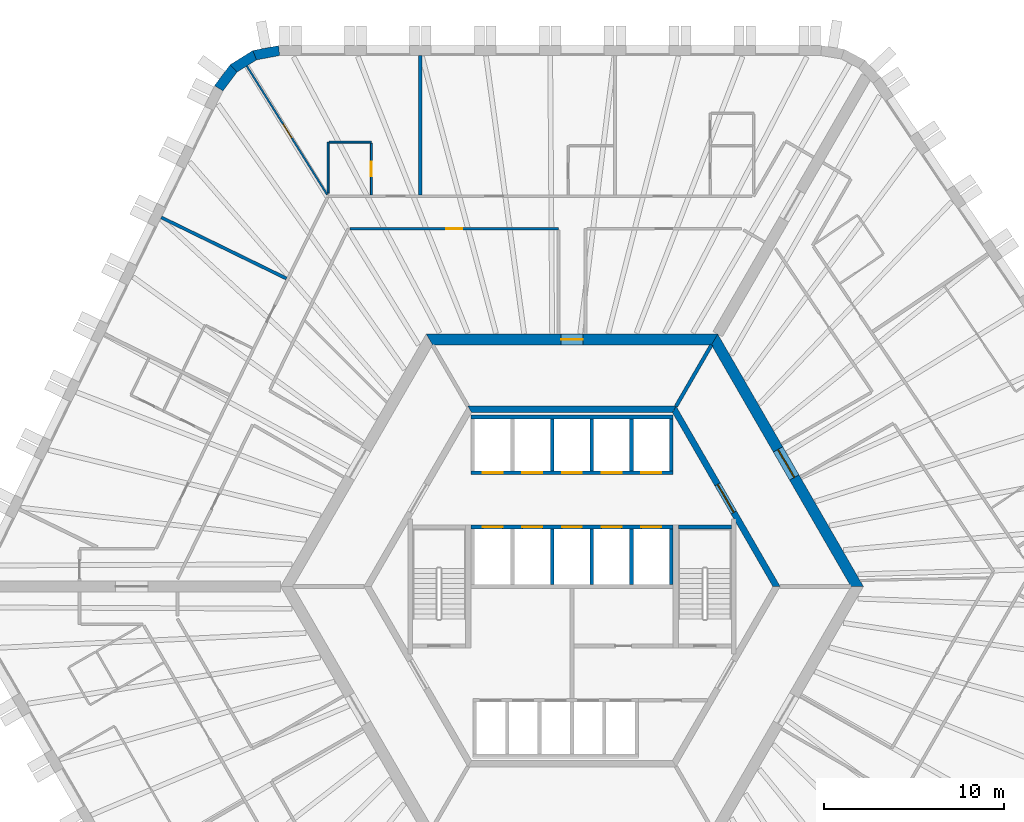
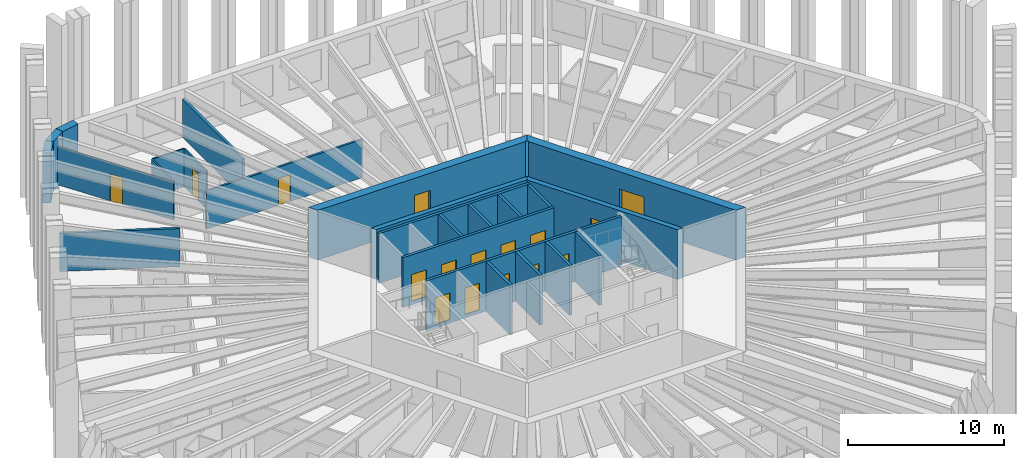
# One storey, part 8 of 13: 27 walls, 16 doors, 16 openings.
"""IFC4 building model written with IfcOpenShell, lengths in metres."""

from ifc_helpers import new_model, si_unit, direction, frame, frame_2d, origin, place, context, subcontext, project, spatial, polyline, rectangle, outline, extrude, material, layer, layer_set, type_object, element, fill, save


model = new_model("IFC4")

# Units and contexts
model_context = context("Model", 3, precision=1e-05, world=origin(), true_north=direction((0.0, 1.0)))
body_context = subcontext(model_context, "Body", "Model", "MODEL_VIEW")
ifc_project = project(units=[si_unit("LENGTHUNIT", "METRE"), si_unit("AREAUNIT", "SQUARE_METRE"), si_unit("VOLUMEUNIT", "CUBIC_METRE"), si_unit("PLANEANGLEUNIT", "RADIAN"), si_unit("MASSUNIT", "GRAM", prefix="KILO")], contexts=[model_context])

# Site, building, storey
site_placement = place(None, origin())
site = spatial("IfcSite", under=ifc_project, at=site_placement, CompositionType="ELEMENT")
building_placement = place(site_placement, origin())
building = spatial("IfcBuilding", under=site, at=building_placement, Name="Tarnside Tower", CompositionType="ELEMENT")
storey_placement = place(building_placement, frame((0.0, 0.0, 80.39990234375)))
storey = spatial("IfcBuildingStorey", under=building, at=storey_placement, Name="L17", CompositionType="ELEMENT", Elevation=80.39990234375)

# Walls
ifc_material_1 = material(Name="Gypsum board partition on steel studs", Category="steel")
ifc_layer_1 = layer(ifc_material_1, 0.10009765625)
ifc_layer_set_1 = layer_set([ifc_layer_1], Name="Bathroom wall 100")
wall_type_1 = type_object("IfcWallType", Name="Bathroom wall 100", PredefinedType="PARTITIONING", material=ifc_layer_set_1)
wall_1_placement = place(storey_placement, frame((-13.5283203125, 21.821044921875, 0.0), z_axis=(0.0, 0.0, 1.0), x_axis=(0.0, 1.0, 0.0)))
element("IfcWall", 1, at=wall_1_placement, inside=storey, type_object=wall_type_1, Name="Bathroom wall 05090", PredefinedType="PARTITIONING", context=body_context, shape_type="SweptSolid", body=[
    extrude(rectangle(XDim=2.828857421875, YDim=0.10009765625, at=frame_2d((1.41455078125, 0.0))), origin(), (0.0, 0.0, 1.0), 2.98779296875),
])
wall_2_placement = place(storey_placement, frame((-13.478515625, 24.64990234375, 0.0), z_axis=(0.0, 0.0, 1.0), x_axis=(1.0, 0.0, 0.0)))
element("IfcWall", 2, at=wall_2_placement, inside=storey, type_object=wall_type_1, Name="Bathroom wall 05091", PredefinedType="PARTITIONING", context=body_context, shape_type="SweptSolid", body=[
    extrude(rectangle(XDim=2.35009765625, YDim=0.10009765625, at=frame_2d((1.175048828125, 0.0))), origin(), (0.0, 0.0, 1.0), 2.98779296875),
])

# Wall, opening, door
wall_3_placement = place(storey_placement, frame((-11.12841796875, 24.60009765625, 0.0), z_axis=(0.0, 0.0, 1.0), x_axis=(0.0, -1.0, 0.0)))
wall_3 = element("IfcWall", 3, at=wall_3_placement, inside=storey, type_object=wall_type_1, Name="Bathroom wall 05092", PredefinedType="PARTITIONING", context=body_context, shape_type="SweptSolid", body=[
    extrude(rectangle(XDim=2.875, YDim=0.10009765625, at=frame_2d((1.4375, 0.0))), origin(), (0.0, 0.0, 1.0), 2.98779296875),
])
opening_1_placement = place(wall_3_placement, frame((1.050048828125, 0.0, 0.0)))
opening_1 = element("IfcOpeningElement", 4, at=opening_1_placement, cuts=wall_3, Name="Opening D-B1", PredefinedType="OPENING", context=body_context, shape_type="SweptSolid", body=[
    extrude(rectangle(XDim=0.800048828125, YDim=2.10009765625, at=frame_2d((0.39990234375, 1.050048828125))), frame((0.0, 0.06005859375, 0.0), z_axis=(0.0, -1.0, 0.0), x_axis=(1.0, 0.0, 0.0)), (0.0, 0.0, 1.0), 0.1201171875),
])
ifc_material_2 = material(Name="Timber door leaf", Category="wood")
door_type_1 = type_object("IfcDoorType", Name="Bathroom door 800", OperationType="NOTDEFINED", PredefinedType="DOOR", material=ifc_material_2)
door_1_placement = place(opening_1_placement, origin())
door_1 = element("IfcDoor", 5, at=door_1_placement, inside=storey, type_object=door_type_1, Name="Bathroom door 05007", OperationType="SINGLE_SWING_RIGHT", OverallHeight=2.10009765625, OverallWidth=0.800048828125, PredefinedType="DOOR", context=body_context, shape_type="SweptSolid", body=[
    extrude(rectangle(XDim=0.800048828125, YDim=2.10009765625, at=frame_2d((0.39990234375, 1.050048828125))), frame((0.0, 0.02490234375, 0.0), z_axis=(0.0, -1.0, 0.0), x_axis=(1.0, 0.0, 0.0)), (0.0, 0.0, 1.0), 0.050048828125),
])
fill(opening_1, door_1)

ifc_material_3 = material(Name="Concrete C50/60", Category="concrete")
ifc_layer_2 = layer(ifc_material_3, 0.35009765625)
ifc_layer_set_2 = layer_set([ifc_layer_2], Name="Core block wall 350 C50/60")
wall_type_2 = type_object("IfcWallType", Name="Core block wall 350 C50/60", PredefinedType="SHEAR", material=ifc_layer_set_2)
wall_4_placement = place(storey_placement, frame((11.344970703125, 0.0, -0.14990234375), z_axis=(0.0, 0.0, 1.0), x_axis=(-0.499995046907, 0.866028263435, 0.0)))
wall_4 = element("IfcWall", 6, at=wall_4_placement, inside=storey, type_object=wall_type_2, Name="L17 core block wall face 6", PredefinedType="SHEAR", context=body_context, shape_type="SweptSolid", body=[
    extrude(outline(polyline([(-0.10107421875, -0.175048828125), (11.44580078125, -0.175048828125), (11.24365234375, 0.175048828125), (0.10107421875, 0.175048828125), (-0.10107421875, -0.175048828125)])), origin(), (0.0, 0.0, 1.0), 3.89990234375),
])
opening_2_placement = place(wall_4_placement, frame((4.74365234375, 0.0, 0.14990234375)))
opening_2 = element("IfcOpeningElement", 7, at=opening_2_placement, cuts=wall_4, Name="Opening CD-LOB", PredefinedType="OPENING", context=body_context, shape_type="SweptSolid", body=[
    extrude(rectangle(XDim=1.800048828125, YDim=2.39990234375, at=frame_2d((0.89990234375, 1.199951171875))), frame((0.0, 0.18505859375, 0.0), z_axis=(0.0, -1.0, 0.0), x_axis=(1.0, 0.0, 0.0)), (0.0, 0.0, 1.0), 0.3701171875),
])
ifc_material_4 = material(Name="Steel fire door", Category="steel")
door_type_2 = type_object("IfcDoorType", Name="Lobby double door FD30S 1800x2400", OperationType="NOTDEFINED", PredefinedType="DOOR", material=ifc_material_4)
door_2_placement = place(opening_2_placement, origin())
door_2 = element("IfcDoor", 8, at=door_2_placement, inside=storey, type_object=door_type_2, Name="L17 lobby block door P2", OperationType="DOUBLE_DOOR_SINGLE_SWING", OverallHeight=2.39990234375, OverallWidth=1.800048828125, PredefinedType="DOOR", context=body_context, shape_type="SweptSolid", body=[
    extrude(rectangle(XDim=1.800048828125, YDim=2.39990234375, at=frame_2d((0.89990234375, 1.199951171875))), frame((0.0, 0.02490234375, 0.0), z_axis=(0.0, -1.0, 0.0), x_axis=(1.0, 0.0, 0.0)), (0.0, 0.0, 1.0), 0.050048828125),
])
fill(opening_2, door_2)

# Wall
wall_5_placement = place(storey_placement, frame((5.672607421875, 9.824951171875, -0.14990234375), z_axis=(0.0, 0.0, 1.0), x_axis=(-1.0, 0.0, 0.0)))
element("IfcWall", 9, at=wall_5_placement, inside=storey, type_object=wall_type_2, Name="L17 core block wall face 1", PredefinedType="SHEAR", context=body_context, shape_type="SweptSolid", body=[
    extrude(outline(polyline([(-0.10107421875, -0.175048828125), (11.4462890625, -0.175048828125), (11.244140625, 0.175048828125), (0.10107421875, 0.175048828125), (-0.10107421875, -0.175048828125)])), origin(), (0.0, 0.0, 1.0), 3.89990234375),
])

# Wall, opening, door
ifc_material_5 = material(Name="Concrete C80/95", Category="concrete")
ifc_layer_3 = layer(ifc_material_5, 0.60009765625)
ifc_layer_set_3 = layer_set([ifc_layer_3], Name="Core wall Z1 600 C80/95")
wall_type_3 = type_object("IfcWallType", Name="Core wall Z1 600 C80/95", PredefinedType="SHEAR", material=ifc_layer_set_3)
wall_6_placement = place(storey_placement, frame((15.8193359375, 0.0, -0.14990234375), z_axis=(0.0, 0.0, 1.0), x_axis=(-0.499999880136, 0.866025472988, 0.0)))
wall_6 = element("IfcWall", 10, at=wall_6_placement, inside=storey, type_object=wall_type_3, Name="L17 core wall face 6", PredefinedType="SHEAR", context=body_context, shape_type="SweptSolid", body=[
    extrude(outline(polyline([(-0.17333984375, -0.300048828125), (15.99267578125, -0.300048828125), (15.64599609375, 0.300048828125), (0.17333984375, 0.300048828125), (-0.17333984375, -0.300048828125)])), origin(), (0.0, 0.0, 1.0), 3.89990234375),
])
opening_3_placement = place(wall_6_placement, frame((6.980712890625, 0.0, 0.14990234375)))
opening_3 = element("IfcOpeningElement", 11, at=opening_3_placement, cuts=wall_6, Name="Opening CD-LOB", PredefinedType="OPENING", context=body_context, shape_type="SweptSolid", body=[
    extrude(rectangle(XDim=1.800048828125, YDim=2.39990234375, at=frame_2d((0.89990234375, 1.199951171875))), frame((0.0, 0.31005859375, 0.0), z_axis=(0.0, -1.0, 0.0), x_axis=(1.0, 0.0, 0.0)), (0.0, 0.0, 1.0), 0.6201171875),
])
door_3_placement = place(opening_3_placement, origin())
door_3 = element("IfcDoor", 12, at=door_3_placement, inside=storey, type_object=door_type_2, Name="L17 core door P2", OperationType="DOUBLE_DOOR_SINGLE_SWING", OverallHeight=2.39990234375, OverallWidth=1.800048828125, PredefinedType="DOOR", context=body_context, shape_type="SweptSolid", body=[
    extrude(rectangle(XDim=1.800048828125, YDim=2.39990234375, at=frame_2d((0.89990234375, 1.199951171875))), frame((0.0, 0.02490234375, 0.0), z_axis=(0.0, -1.0, 0.0), x_axis=(1.0, 0.0, 0.0)), (0.0, 0.0, 1.0), 0.050048828125),
])
fill(opening_3, door_3)

wall_7_placement = place(storey_placement, frame((7.90966796875, 13.699951171875, -0.14990234375), z_axis=(0.0, 0.0, 1.0), x_axis=(-1.0, 0.0, 0.0)))
wall_7 = element("IfcWall", 13, at=wall_7_placement, inside=storey, type_object=wall_type_3, Name="L17 core wall face 1", PredefinedType="SHEAR", context=body_context, shape_type="SweptSolid", body=[
    extrude(outline(polyline([(-0.17333984375, -0.300048828125), (15.99267578125, -0.300048828125), (15.64599609375, 0.300048828125), (0.17333984375, 0.300048828125), (-0.17333984375, -0.300048828125)])), origin(), (0.0, 0.0, 1.0), 3.89990234375),
])
opening_4_placement = place(wall_7_placement, frame((7.309814453125, 0.0, 0.14990234375)))
opening_4 = element("IfcOpeningElement", 14, at=opening_4_placement, cuts=wall_7, Name="Opening CD-RSR", PredefinedType="OPENING", context=body_context, shape_type="SweptSolid", body=[
    extrude(rectangle(XDim=1.199951171875, YDim=2.39990234375, at=frame_2d((0.60009765625, 1.199951171875))), frame((0.0, 0.31005859375, 0.0), z_axis=(0.0, -1.0, 0.0), x_axis=(1.0, 0.0, 0.0)), (0.0, 0.0, 1.0), 0.6201171875),
])
door_type_3 = type_object("IfcDoorType", Name="Riser door FD60 1200x2400", OperationType="NOTDEFINED", PredefinedType="DOOR", material=ifc_material_4)
door_4_placement = place(opening_4_placement, origin())
door_4 = element("IfcDoor", 15, at=door_4_placement, inside=storey, type_object=door_type_3, Name="L17 core door S5", OperationType="SINGLE_SWING_LEFT", OverallHeight=2.39990234375, OverallWidth=1.199951171875, PredefinedType="DOOR", context=body_context, shape_type="SweptSolid", body=[
    extrude(rectangle(XDim=1.199951171875, YDim=2.39990234375, at=frame_2d((0.60009765625, 1.199951171875))), frame((0.0, 0.02490234375, 0.0), z_axis=(0.0, -1.0, 0.0), x_axis=(1.0, 0.0, 0.0)), (0.0, 0.0, 1.0), 0.050048828125),
])
fill(opening_4, door_4)

ifc_layer_4 = layer(ifc_material_1, 0.14990234375)
ifc_layer_set_4 = layer_set([ifc_layer_4], Name="Corridor wall 150 EI 60")
wall_type_4 = type_object("IfcWallType", Name="Corridor wall 150 EI 60", PredefinedType="PARTITIONING", material=ifc_layer_set_4)
wall_8_placement = place(storey_placement, frame((-12.3203125, 19.85009765625, 0.0), z_axis=(0.0, 0.0, 1.0), x_axis=(1.0, 0.0, 0.0)))
wall_8 = element("IfcWall", 16, at=wall_8_placement, inside=storey, type_object=wall_type_4, Name="Corridor wall 05018", PredefinedType="PARTITIONING", context=body_context, shape_type="SweptSolid", body=[
    extrude(rectangle(XDim=11.5703125, YDim=0.14990234375, at=frame_2d((5.78515625, 0.0))), origin(), (0.0, 0.0, 1.0), 2.98779296875),
])
opening_5_placement = place(wall_8_placement, frame((5.335205078125, 0.0, 0.0)))
opening_5 = element("IfcOpeningElement", 17, at=opening_5_placement, cuts=wall_8, Name="Opening D-S1", PredefinedType="OPENING", context=body_context, shape_type="SweptSolid", body=[
    extrude(rectangle(XDim=0.89990234375, YDim=2.10009765625, at=frame_2d((0.449951171875, 1.050048828125))), frame((0.0, 0.0849609375, 0.0), z_axis=(0.0, -1.0, 0.0), x_axis=(1.0, 0.0, 0.0)), (0.0, 0.0, 1.0), 0.169921875),
])
door_type_4 = type_object("IfcDoorType", Name="Service room door 900 FD30S", OperationType="NOTDEFINED", PredefinedType="DOOR", material=ifc_material_2)
door_5_placement = place(opening_5_placement, origin())
door_5 = element("IfcDoor", 18, at=door_5_placement, inside=storey, type_object=door_type_4, Name="Service door 05041", OperationType="SINGLE_SWING_RIGHT", OverallHeight=2.10009765625, OverallWidth=0.89990234375, PredefinedType="DOOR", context=body_context, shape_type="SweptSolid", body=[
    extrude(rectangle(XDim=0.89990234375, YDim=2.10009765625, at=frame_2d((0.449951171875, 1.050048828125))), frame((0.0, 0.02490234375, 0.0), z_axis=(0.0, -1.0, 0.0), x_axis=(1.0, 0.0, 0.0)), (0.0, 0.0, 1.0), 0.050048828125),
])
fill(opening_5, door_5)

# Walls
ifc_layer_5 = layer(ifc_material_1, 0.179931640625)
ifc_layer_set_5 = layer_set([ifc_layer_5], Name="Demising wall 180 EI 60")
wall_type_5 = type_object("IfcWallType", Name="Demising wall 180 EI 60", PredefinedType="PARTITIONING", material=ifc_layer_set_5)
for number, where, z_axis, x_axis, name in (
    (19, (-8.4111328125, 29.449951171875, 0.0), (0.0, 0.0, 1.0), (0.0, -1.0, 0.0), "Demising wall 05089"),
    (20, (-22.7822265625, 20.469970703125, 0.0), (0.0, 0.0, 1.0), (0.898789402655, -0.438380667542, 0.0), "Demising wall 05094"),
):
    element("IfcWall", number, at=place(storey_placement, frame(where, z_axis=z_axis, x_axis=x_axis)), inside=storey, type_object=wall_type_5, Name=name, PredefinedType="PARTITIONING", context=body_context, shape_type="SweptSolid", body=[
        extrude(rectangle(XDim=7.724853515625, YDim=0.179931640625, at=frame_2d((3.8623046875, 0.0))), origin(), (0.0, 0.0, 1.0), 2.98779296875),
    ])

# Wall, openings, doors
ifc_material_6 = material(Name="Concrete C40/50", Category="concrete")
ifc_layer_6 = layer(ifc_material_6, 0.199951171875)
ifc_layer_set_6 = layer_set([ifc_layer_6], Name="Lift shaft wall 200 C40/50")
wall_type_6 = type_object("IfcWallType", Name="Lift shaft wall 200 C40/50", PredefinedType="SHEAR", material=ifc_layer_set_6)
wall_9_placement = place(storey_placement, frame((-5.60009765625, 6.300048828125, -0.25), z_axis=(0.0, 0.0, 1.0), x_axis=(1.0, 0.0, 0.0)))
wall_9 = element("IfcWall", 21, at=wall_9_placement, inside=storey, type_object=wall_type_6, Name="L17 lift shaft front wall R1", PredefinedType="SHEAR", context=body_context, shape_type="SweptSolid", body=[
    extrude(rectangle(XDim=11.2001953125, YDim=0.199951171875, at=frame_2d((5.60009765625, 0.0))), origin(), (0.0, 0.0, 1.0), 3.900146484375),
])
opening_6_placement = place(wall_9_placement, frame((0.64990234375, 0.0, 0.25)))
opening_6 = element("IfcOpeningElement", 22, at=opening_6_placement, cuts=wall_9, Name="Opening LD", PredefinedType="OPENING", context=body_context, shape_type="SweptSolid", body=[
    extrude(rectangle(XDim=1.10009765625, YDim=2.10009765625, at=frame_2d((0.550048828125, 1.050048828125))), frame((0.0, 0.10986328125, 0.0), z_axis=(0.0, -1.0, 0.0), x_axis=(1.0, 0.0, 0.0)), (0.0, 0.0, 1.0), 0.219970703125),
])
opening_7_placement = place(wall_9_placement, frame((2.85009765625, 0.0, 0.25)))
opening_7 = element("IfcOpeningElement", 23, at=opening_7_placement, cuts=wall_9, Name="Opening LD", PredefinedType="OPENING", context=body_context, shape_type="SweptSolid", body=[
    extrude(rectangle(XDim=1.10009765625, YDim=2.10009765625, at=frame_2d((0.550048828125, 1.050048828125))), frame((0.0, 0.10986328125, 0.0), z_axis=(0.0, -1.0, 0.0), x_axis=(1.0, 0.0, 0.0)), (0.0, 0.0, 1.0), 0.219970703125),
])
opening_8_placement = place(wall_9_placement, frame((5.050048828125, 0.0, 0.25)))
opening_8 = element("IfcOpeningElement", 24, at=opening_8_placement, cuts=wall_9, Name="Opening LD", PredefinedType="OPENING", context=body_context, shape_type="SweptSolid", body=[
    extrude(rectangle(XDim=1.10009765625, YDim=2.10009765625, at=frame_2d((0.550048828125, 1.050048828125))), frame((0.0, 0.10986328125, 0.0), z_axis=(0.0, -1.0, 0.0), x_axis=(1.0, 0.0, 0.0)), (0.0, 0.0, 1.0), 0.219970703125),
])
opening_9_placement = place(wall_9_placement, frame((7.25, 0.0, 0.25)))
opening_9 = element("IfcOpeningElement", 25, at=opening_9_placement, cuts=wall_9, Name="Opening LD", PredefinedType="OPENING", context=body_context, shape_type="SweptSolid", body=[
    extrude(rectangle(XDim=1.10009765625, YDim=2.10009765625, at=frame_2d((0.550048828125, 1.050048828125))), frame((0.0, 0.10986328125, 0.0), z_axis=(0.0, -1.0, 0.0), x_axis=(1.0, 0.0, 0.0)), (0.0, 0.0, 1.0), 0.219970703125),
])
opening_10_placement = place(wall_9_placement, frame((9.449951171875, 0.0, 0.25)))
opening_10 = element("IfcOpeningElement", 26, at=opening_10_placement, cuts=wall_9, Name="Opening LD", PredefinedType="OPENING", context=body_context, shape_type="SweptSolid", body=[
    extrude(rectangle(XDim=1.10009765625, YDim=2.10009765625, at=frame_2d((0.550048828125, 1.050048828125))), frame((0.0, 0.10986328125, 0.0), z_axis=(0.0, -1.0, 0.0), x_axis=(1.0, 0.0, 0.0)), (0.0, 0.0, 1.0), 0.219970703125),
])
ifc_material_7 = material(Name="Stainless steel", Category="steel")
door_type_5 = type_object("IfcDoorType", Name="Lift landing door 1100x2100", OperationType="NOTDEFINED", PredefinedType="DOOR", material=ifc_material_7)
door_6_placement = place(opening_6_placement, origin())
door_6 = element("IfcDoor", 27, at=door_6_placement, inside=storey, type_object=door_type_5, Name="Low-rise lift 1 landing door L17", OperationType="SLIDING_TO_LEFT", OverallHeight=2.10009765625, OverallWidth=1.10009765625, PredefinedType="DOOR", context=body_context, shape_type="SweptSolid", body=[
    extrude(rectangle(XDim=1.10009765625, YDim=2.10009765625, at=frame_2d((0.550048828125, 1.050048828125))), frame((0.0, 0.02490234375, 0.0), z_axis=(0.0, -1.0, 0.0), x_axis=(1.0, 0.0, 0.0)), (0.0, 0.0, 1.0), 0.050048828125),
])
fill(opening_6, door_6)
door_7_placement = place(opening_7_placement, origin())
door_7 = element("IfcDoor", 28, at=door_7_placement, inside=storey, type_object=door_type_5, Name="Low-rise lift 2 landing door L17", OperationType="SLIDING_TO_LEFT", OverallHeight=2.10009765625, OverallWidth=1.10009765625, PredefinedType="DOOR", context=body_context, shape_type="SweptSolid", body=[
    extrude(rectangle(XDim=1.10009765625, YDim=2.10009765625, at=frame_2d((0.550048828125, 1.050048828125))), frame((0.0, 0.02490234375, 0.0), z_axis=(0.0, -1.0, 0.0), x_axis=(1.0, 0.0, 0.0)), (0.0, 0.0, 1.0), 0.050048828125),
])
fill(opening_7, door_7)
door_8_placement = place(opening_8_placement, origin())
door_8 = element("IfcDoor", 29, at=door_8_placement, inside=storey, type_object=door_type_5, Name="Low-rise lift 3 landing door L17", OperationType="SLIDING_TO_LEFT", OverallHeight=2.10009765625, OverallWidth=1.10009765625, PredefinedType="DOOR", context=body_context, shape_type="SweptSolid", body=[
    extrude(rectangle(XDim=1.10009765625, YDim=2.10009765625, at=frame_2d((0.550048828125, 1.050048828125))), frame((0.0, 0.02490234375, 0.0), z_axis=(0.0, -1.0, 0.0), x_axis=(1.0, 0.0, 0.0)), (0.0, 0.0, 1.0), 0.050048828125),
])
fill(opening_8, door_8)
door_9_placement = place(opening_9_placement, origin())
door_9 = element("IfcDoor", 30, at=door_9_placement, inside=storey, type_object=door_type_5, Name="Low sky-lobby shuttle 1 landing door L17", OperationType="SLIDING_TO_LEFT", OverallHeight=2.10009765625, OverallWidth=1.10009765625, PredefinedType="DOOR", context=body_context, shape_type="SweptSolid", body=[
    extrude(rectangle(XDim=1.10009765625, YDim=2.10009765625, at=frame_2d((0.550048828125, 1.050048828125))), frame((0.0, 0.02490234375, 0.0), z_axis=(0.0, -1.0, 0.0), x_axis=(1.0, 0.0, 0.0)), (0.0, 0.0, 1.0), 0.050048828125),
])
fill(opening_9, door_9)
door_10_placement = place(opening_10_placement, origin())
door_10 = element("IfcDoor", 31, at=door_10_placement, inside=storey, type_object=door_type_5, Name="Low sky-lobby shuttle 2 landing door L17", OperationType="SLIDING_TO_LEFT", OverallHeight=2.10009765625, OverallWidth=1.10009765625, PredefinedType="DOOR", context=body_context, shape_type="SweptSolid", body=[
    extrude(rectangle(XDim=1.10009765625, YDim=2.10009765625, at=frame_2d((0.550048828125, 1.050048828125))), frame((0.0, 0.02490234375, 0.0), z_axis=(0.0, -1.0, 0.0), x_axis=(1.0, 0.0, 0.0)), (0.0, 0.0, 1.0), 0.050048828125),
])
fill(opening_10, door_10)

# Walls
wall_10_placement = place(storey_placement, frame((-5.60009765625, 9.39990234375, -0.25), z_axis=(0.0, 0.0, 1.0), x_axis=(1.0, 0.0, 0.0)))
element("IfcWall", 32, at=wall_10_placement, inside=storey, type_object=wall_type_6, Name="L17 lift shaft back wall R1", PredefinedType="SHEAR", context=body_context, shape_type="SweptSolid", body=[
    extrude(rectangle(XDim=11.2001953125, YDim=0.199951171875, at=frame_2d((5.60009765625, 0.0))), origin(), (0.0, 0.0, 1.0), 3.900146484375),
])
for number, where, z_axis, x_axis, name in (
    (33, (-1.10009765625, 6.39990234375, -0.25), (0.0, 0.0, 1.0), (0.0, 1.0, 0.0), "L17 lift shaft partition R13"),
    (34, (1.10009765625, 6.39990234375, -0.25), (0.0, 0.0, 1.0), (0.0, 1.0, 0.0), "L17 lift shaft partition R14"),
    (35, (3.300048828125, 6.39990234375, -0.25), (0.0, 0.0, 1.0), (0.0, 1.0, 0.0), "L17 lift shaft partition R15"),
    (36, (5.5, 6.39990234375, -0.25), (0.0, 0.0, 1.0), (0.0, 1.0, 0.0), "L17 lift shaft partition R16"),
):
    element("IfcWall", number, at=place(storey_placement, frame(where, z_axis=z_axis, x_axis=x_axis)), inside=storey, type_object=wall_type_6, Name=name, PredefinedType="SHEAR", context=body_context, shape_type="SweptSolid", body=[
        extrude(rectangle(XDim=2.900146484375, YDim=0.199951171875, at=frame_2d((1.4501953125, 0.0))), origin(), (0.0, 0.0, 1.0), 3.900146484375),
    ])

# Wall, openings, doors
wall_11_placement = place(storey_placement, frame((-5.60009765625, 3.300048828125, -0.25), z_axis=(0.0, 0.0, 1.0), x_axis=(1.0, 0.0, 0.0)))
wall_11 = element("IfcWall", 37, at=wall_11_placement, inside=storey, type_object=wall_type_6, Name="L17 lift shaft front wall R2", PredefinedType="SHEAR", context=body_context, shape_type="SweptSolid", body=[
    extrude(rectangle(XDim=11.2001953125, YDim=0.199951171875, at=frame_2d((5.60009765625, 0.0))), origin(), (0.0, 0.0, 1.0), 3.900146484375),
])
opening_11_placement = place(wall_11_placement, frame((0.64990234375, 0.0, 0.25)))
opening_11 = element("IfcOpeningElement", 38, at=opening_11_placement, cuts=wall_11, Name="Opening LD", PredefinedType="OPENING", context=body_context, shape_type="SweptSolid", body=[
    extrude(rectangle(XDim=1.10009765625, YDim=2.10009765625, at=frame_2d((0.550048828125, 1.050048828125))), frame((0.0, 0.10986328125, 0.0), z_axis=(0.0, -1.0, 0.0), x_axis=(1.0, 0.0, 0.0)), (0.0, 0.0, 1.0), 0.219970703125),
])
opening_12_placement = place(wall_11_placement, frame((2.85009765625, 0.0, 0.25)))
opening_12 = element("IfcOpeningElement", 39, at=opening_12_placement, cuts=wall_11, Name="Opening LD", PredefinedType="OPENING", context=body_context, shape_type="SweptSolid", body=[
    extrude(rectangle(XDim=1.10009765625, YDim=2.10009765625, at=frame_2d((0.550048828125, 1.050048828125))), frame((0.0, 0.10986328125, 0.0), z_axis=(0.0, -1.0, 0.0), x_axis=(1.0, 0.0, 0.0)), (0.0, 0.0, 1.0), 0.219970703125),
])
opening_13_placement = place(wall_11_placement, frame((5.050048828125, 0.0, 0.25)))
opening_13 = element("IfcOpeningElement", 40, at=opening_13_placement, cuts=wall_11, Name="Opening LD", PredefinedType="OPENING", context=body_context, shape_type="SweptSolid", body=[
    extrude(rectangle(XDim=1.10009765625, YDim=2.10009765625, at=frame_2d((0.550048828125, 1.050048828125))), frame((0.0, 0.10986328125, 0.0), z_axis=(0.0, -1.0, 0.0), x_axis=(1.0, 0.0, 0.0)), (0.0, 0.0, 1.0), 0.219970703125),
])
opening_14_placement = place(wall_11_placement, frame((7.25, 0.0, 0.25)))
opening_14 = element("IfcOpeningElement", 41, at=opening_14_placement, cuts=wall_11, Name="Opening LD", PredefinedType="OPENING", context=body_context, shape_type="SweptSolid", body=[
    extrude(rectangle(XDim=1.10009765625, YDim=2.10009765625, at=frame_2d((0.550048828125, 1.050048828125))), frame((0.0, 0.10986328125, 0.0), z_axis=(0.0, -1.0, 0.0), x_axis=(1.0, 0.0, 0.0)), (0.0, 0.0, 1.0), 0.219970703125),
])
opening_15_placement = place(wall_11_placement, frame((9.449951171875, 0.0, 0.25)))
opening_15 = element("IfcOpeningElement", 42, at=opening_15_placement, cuts=wall_11, Name="Opening LD", PredefinedType="OPENING", context=body_context, shape_type="SweptSolid", body=[
    extrude(rectangle(XDim=1.10009765625, YDim=2.10009765625, at=frame_2d((0.550048828125, 1.050048828125))), frame((0.0, 0.10986328125, 0.0), z_axis=(0.0, -1.0, 0.0), x_axis=(1.0, 0.0, 0.0)), (0.0, 0.0, 1.0), 0.219970703125),
])
door_11_placement = place(opening_11_placement, origin())
door_11 = element("IfcDoor", 43, at=door_11_placement, inside=storey, type_object=door_type_5, Name="Low-rise lift 4 landing door L17", OperationType="SLIDING_TO_LEFT", OverallHeight=2.10009765625, OverallWidth=1.10009765625, PredefinedType="DOOR", context=body_context, shape_type="SweptSolid", body=[
    extrude(rectangle(XDim=1.10009765625, YDim=2.10009765625, at=frame_2d((0.550048828125, 1.050048828125))), frame((0.0, 0.02490234375, 0.0), z_axis=(0.0, -1.0, 0.0), x_axis=(1.0, 0.0, 0.0)), (0.0, 0.0, 1.0), 0.050048828125),
])
fill(opening_11, door_11)
door_12_placement = place(opening_12_placement, origin())
door_12 = element("IfcDoor", 44, at=door_12_placement, inside=storey, type_object=door_type_5, Name="Low-rise lift 5 landing door L17", OperationType="SLIDING_TO_LEFT", OverallHeight=2.10009765625, OverallWidth=1.10009765625, PredefinedType="DOOR", context=body_context, shape_type="SweptSolid", body=[
    extrude(rectangle(XDim=1.10009765625, YDim=2.10009765625, at=frame_2d((0.550048828125, 1.050048828125))), frame((0.0, 0.02490234375, 0.0), z_axis=(0.0, -1.0, 0.0), x_axis=(1.0, 0.0, 0.0)), (0.0, 0.0, 1.0), 0.050048828125),
])
fill(opening_12, door_12)
door_13_placement = place(opening_13_placement, origin())
door_13 = element("IfcDoor", 45, at=door_13_placement, inside=storey, type_object=door_type_5, Name="Low-rise lift 6 landing door L17", OperationType="SLIDING_TO_LEFT", OverallHeight=2.10009765625, OverallWidth=1.10009765625, PredefinedType="DOOR", context=body_context, shape_type="SweptSolid", body=[
    extrude(rectangle(XDim=1.10009765625, YDim=2.10009765625, at=frame_2d((0.550048828125, 1.050048828125))), frame((0.0, 0.02490234375, 0.0), z_axis=(0.0, -1.0, 0.0), x_axis=(1.0, 0.0, 0.0)), (0.0, 0.0, 1.0), 0.050048828125),
])
fill(opening_13, door_13)
door_14_placement = place(opening_14_placement, origin())
door_14 = element("IfcDoor", 46, at=door_14_placement, inside=storey, type_object=door_type_5, Name="High sky-lobby shuttle 1 landing door L17", OperationType="SLIDING_TO_LEFT", OverallHeight=2.10009765625, OverallWidth=1.10009765625, PredefinedType="DOOR", context=body_context, shape_type="SweptSolid", body=[
    extrude(rectangle(XDim=1.10009765625, YDim=2.10009765625, at=frame_2d((0.550048828125, 1.050048828125))), frame((0.0, 0.02490234375, 0.0), z_axis=(0.0, -1.0, 0.0), x_axis=(1.0, 0.0, 0.0)), (0.0, 0.0, 1.0), 0.050048828125),
])
fill(opening_14, door_14)
door_15_placement = place(opening_15_placement, origin())
door_15 = element("IfcDoor", 47, at=door_15_placement, inside=storey, type_object=door_type_5, Name="Express sky-lobby shuttle 2 landing door L17", OperationType="SLIDING_TO_LEFT", OverallHeight=2.10009765625, OverallWidth=1.10009765625, PredefinedType="DOOR", context=body_context, shape_type="SweptSolid", body=[
    extrude(rectangle(XDim=1.10009765625, YDim=2.10009765625, at=frame_2d((0.550048828125, 1.050048828125))), frame((0.0, 0.02490234375, 0.0), z_axis=(0.0, -1.0, 0.0), x_axis=(1.0, 0.0, 0.0)), (0.0, 0.0, 1.0), 0.050048828125),
])
fill(opening_15, door_15)

# Walls
for number, where, z_axis, x_axis, name in (
    (48, (-1.10009765625, 0.10009765625, -0.25), (0.0, 0.0, 1.0), (0.0, 1.0, 0.0), "L17 lift shaft partition R23"),
    (49, (1.10009765625, 0.10009765625, -0.25), (0.0, 0.0, 1.0), (0.0, 1.0, 0.0), "L17 lift shaft partition R24"),
    (50, (3.300048828125, 0.10009765625, -0.25), (0.0, 0.0, 1.0), (0.0, 1.0, 0.0), "L17 lift shaft partition R25"),
    (51, (5.5, 0.10009765625, -0.25), (0.0, 0.0, 1.0), (0.0, 1.0, 0.0), "L17 lift shaft partition R26"),
):
    element("IfcWall", number, at=place(storey_placement, frame(where, z_axis=z_axis, x_axis=x_axis)), inside=storey, type_object=wall_type_6, Name=name, PredefinedType="SHEAR", context=body_context, shape_type="SweptSolid", body=[
        extrude(rectangle(XDim=3.099853515625, YDim=0.199951171875, at=frame_2d((1.5498046875, 0.0))), origin(), (0.0, 0.0, 1.0), 3.900146484375),
    ])
wall_12_placement = place(storey_placement, frame((5.7734375, 10.0, -0.14990234375), z_axis=(0.0, 0.0, 1.0), x_axis=(0.500038251005, 0.86600331843, 0.0)))
element("IfcWall", 52, at=wall_12_placement, inside=storey, type_object=wall_type_6, Name="L17 core partition AR60", PredefinedType="SHEAR", context=body_context, shape_type="SweptSolid", body=[
    extrude(rectangle(XDim=3.926025390625, YDim=0.199951171875, at=frame_2d((1.962890625, 0.0))), origin(), (0.0, 0.0, 1.0), 3.89990234375),
])
wall_13_placement = place(storey_placement, frame((5.89990234375, 3.300048828125, -0.25), z_axis=(0.0, 0.0, 1.0), x_axis=(1.0, 0.0, 0.0)))
element("IfcWall", 53, at=wall_13_placement, inside=storey, type_object=wall_type_6, Name="L17 stair 1 enclosure cap wall n", PredefinedType="SHEAR", context=body_context, shape_type="SweptSolid", body=[
    extrude(rectangle(XDim=2.9501953125, YDim=0.199951171875, at=frame_2d((1.47509765625, 0.0))), origin(), (0.0, 0.0, 1.0), 3.900146484375),
])

# Wall, opening, door
ifc_layer_7 = layer(ifc_material_1, 0.10009765625)
ifc_layer_set_7 = layer_set([ifc_layer_7], Name="Partition 100")
wall_type_7 = type_object("IfcWallType", Name="Partition 100", PredefinedType="PARTITIONING", material=ifc_layer_set_7)
wall_14_placement = place(storey_placement, frame((-18.040771484375, 28.87109375, 0.0), z_axis=(0.0, 0.0, 1.0), x_axis=(0.529931179757, -0.848040650394, 0.0)))
wall_14 = element("IfcWall", 54, at=wall_14_placement, inside=storey, type_object=wall_type_7, Name="Partition wall 05093", PredefinedType="PARTITIONING", context=body_context, shape_type="SweptSolid", body=[
    extrude(rectangle(XDim=8.420654296875, YDim=0.10009765625, at=frame_2d((4.21044921875, 0.0))), origin(), (0.0, 0.0, 1.0), 2.98779296875),
])
opening_16_placement = place(wall_14_placement, frame((3.8076171875, 0.0, 0.0)))
opening_16 = element("IfcOpeningElement", 55, at=opening_16_placement, cuts=wall_14, Name="Opening D-I1", PredefinedType="OPENING", context=body_context, shape_type="SweptSolid", body=[
    extrude(rectangle(XDim=0.89990234375, YDim=2.10009765625, at=frame_2d((0.449951171875, 1.050048828125))), frame((0.0, 0.06005859375, 0.0), z_axis=(0.0, -1.0, 0.0), x_axis=(1.0, 0.0, 0.0)), (0.0, 0.0, 1.0), 0.1201171875),
])
door_type_6 = type_object("IfcDoorType", Name="Internal door 900", OperationType="NOTDEFINED", PredefinedType="DOOR", material=ifc_material_2)
door_16_placement = place(opening_16_placement, origin())
door_16 = element("IfcDoor", 56, at=door_16_placement, inside=storey, type_object=door_type_6, Name="Internal door 05008", OperationType="SINGLE_SWING_LEFT", OverallHeight=2.10009765625, OverallWidth=0.89990234375, PredefinedType="DOOR", context=body_context, shape_type="SweptSolid", body=[
    extrude(rectangle(XDim=0.89990234375, YDim=2.10009765625, at=frame_2d((0.449951171875, 1.050048828125))), frame((0.0, 0.02490234375, 0.0), z_axis=(0.0, -1.0, 0.0), x_axis=(1.0, 0.0, 0.0)), (0.0, 0.0, 1.0), 0.050048828125),
])
fill(opening_16, door_16)

# Walls
ifc_material_8 = material(Name="Facing brick", Category="masonry")
ifc_layer_8 = layer(ifc_material_8, 0.10205078125)
ifc_material_9 = material(Name="Concrete C60/75 precast", Category="concrete")
ifc_layer_9 = layer(ifc_material_9, 0.347900390625)
ifc_material_10 = material(Name="Mineral wool insulation")
ifc_layer_10 = layer(ifc_material_10, 0.10009765625)
ifc_layer_set_8 = layer_set([ifc_layer_8, ifc_layer_9, ifc_layer_10], Name="Tube wall 550 brick faced")
wall_type_8 = type_object("IfcWallType", Name="Tube wall 550 brick faced", PredefinedType="SOLIDWALL", material=ifc_layer_set_8)
wall_15_placement = place(storey_placement, frame((-16.24658203125, 29.72509765625, -0.14990234375), z_axis=(0.0, 0.0, 1.0), x_axis=(-0.982705443133, -0.185175624845, 0.0)))
element("IfcWall", 57, at=wall_15_placement, inside=storey, type_object=wall_type_8, Name="Tube wall L17 F1 chord 01", PredefinedType="SOLIDWALL", context=body_context, shape_type="SweptSolid", body=[
    extrude(outline(polyline([(-0.025634765625, -0.27490234375), (1.430908203125, -0.27490234375), (1.327392578125, 0.27490234375), (0.025634765625, 0.27490234375), (-0.025634765625, -0.27490234375)])), origin(), (0.0, 0.0, 1.0), 3.89990234375),
])
wall_16_placement = place(storey_placement, frame((-17.601806640625, 29.4697265625, -0.14990234375), z_axis=(0.0, 0.0, 1.0), x_axis=(-0.848057977594, -0.5299034503, 0.0)))
element("IfcWall", 58, at=wall_16_placement, inside=storey, type_object=wall_type_8, Name="Tube wall L17 F1 chord 02", PredefinedType="SOLIDWALL", context=body_context, shape_type="SweptSolid", body=[
    extrude(outline(polyline([(-0.0517578125, -0.27490234375), (1.4306640625, -0.27490234375), (1.3271484375, 0.27490234375), (0.0517578125, 0.27490234375), (-0.0517578125, -0.27490234375)])), origin(), (0.0, 0.0, 1.0), 3.89990234375),
])
wall_17_placement = place(storey_placement, frame((-18.771240234375, 28.739013671875, -0.14990234375), z_axis=(0.0, 0.0, 1.0), x_axis=(-0.597135295884, -0.802140535324, 0.0)))
element("IfcWall", 59, at=wall_17_placement, inside=storey, type_object=wall_type_8, Name="Tube wall L17 F1 chord 03", PredefinedType="SOLIDWALL", context=body_context, shape_type="SweptSolid", body=[
    extrude(outline(polyline([(-0.0517578125, -0.27490234375), (1.40478515625, -0.27490234375), (1.353515625, 0.27490234375), (0.0517578125, 0.27490234375), (-0.0517578125, -0.27490234375)])), origin(), (0.0, 0.0, 1.0), 3.89990234375),
])

save(model, "model.ifc")
